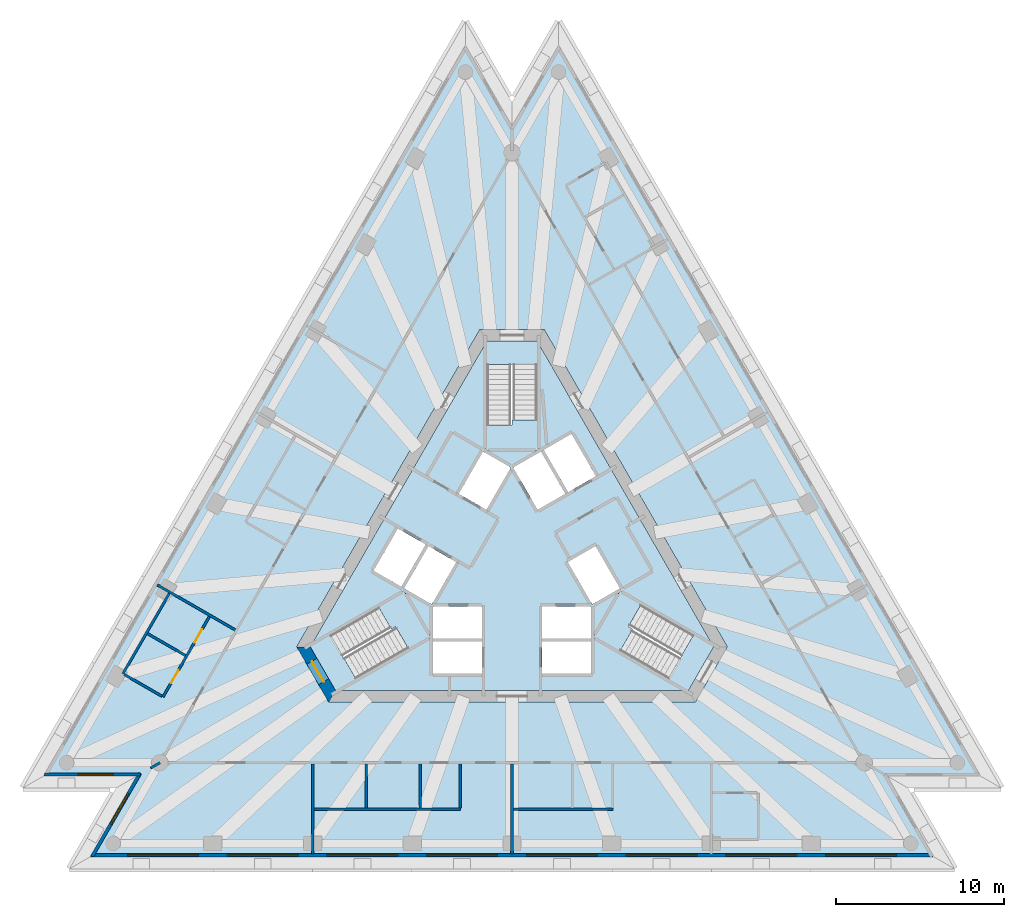
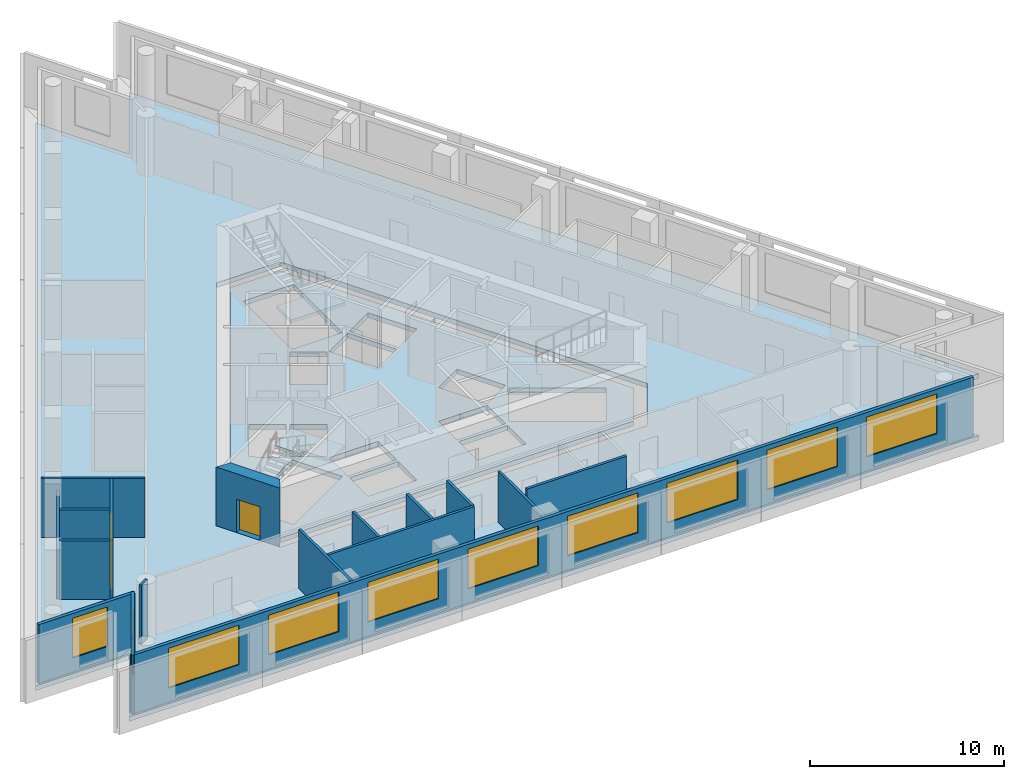
# One storey, part 2 of 9: 17 walls, 10 windows, 5 slabs, 3 doors, 13 openings, 3 elements without a shape of their own.
"""IFC4 building model written with IfcOpenShell, lengths in metres."""

import ifcopenshell
import ifcopenshell.guid

model = None  # the IFC model being written
_history = None  # IfcOwnerHistory: only IFC2X3 demands one
_inside = {}  # id of a spatial element -> (the spatial element, [elements in it])
_under = {}  # id of a project, library or spatial element -> (it, [spatial elements below it])
_declared = {}  # id of a project -> (the project, [libraries it declares])
_typed = {}  # id of a type object -> (the type object, [elements of that type])
_made_of = {}  # id of a material, layer set ... -> (it, [elements and type objects made of it])


def new_model(schema):
    """Start an empty IFC model of exactly this schema.

    Asked for "IFC4X3", IfcOpenShell would pick the latest addendum, in which some entities
    have other attributes; the version numbers below select the first issue.
    IFC2X3 requires an IfcOwnerHistory on every rooted entity: one is made here for all.
    """
    global model, _history
    if schema == "IFC4X3":
        model = ifcopenshell.file(schema_version=(4, 3, 0, 0))
    else:
        model = ifcopenshell.file(schema=schema)
    _inside.clear()
    _under.clear()
    _declared.clear()
    _typed.clear()
    _made_of.clear()
    _history = None
    if model.schema == "IFC2X3":
        org = make("IfcOrganization", Name="unknown")
        user = make(
            "IfcPersonAndOrganization",
            ThePerson=make("IfcPerson", FamilyName="unknown"),
            TheOrganization=org,
        )
        app = make(
            "IfcApplication",
            ApplicationDeveloper=org,
            Version="unknown",
            ApplicationFullName="unknown",
            ApplicationIdentifier="unknown",
        )
        _history = make(
            "IfcOwnerHistory",
            OwningUser=user,
            OwningApplication=app,
            ChangeAction="ADDED",
            CreationDate=0,
        )
    return model


def make(cls, **values):
    """One entity of the class cls with the attributes given. An attribute that is None is left unset."""
    return model.create_entity(
        cls, **{name: value for name, value in values.items() if value is not None}
    )


def rooted(cls, **values):
    """An entity with a GlobalId (a new one), such as an element, a storey or a relation."""
    return make(cls, GlobalId=ifcopenshell.guid.new(), OwnerHistory=_history, **values)


def si_unit(unit_type, name, prefix=None):
    """IfcSIUnit, for example si_unit("LENGTHUNIT", "METRE", prefix="MILLI")."""
    return make("IfcSIUnit", UnitType=unit_type, Prefix=prefix, Name=name)


def assignment(units):
    """IfcUnitAssignment: the units of a project."""
    return None if units is None else make("IfcUnitAssignment", Units=units)


def point(xyz):
    """IfcCartesianPoint."""
    return None if xyz is None else make("IfcCartesianPoint", Coordinates=xyz)


def direction(xyz):
    """IfcDirection."""
    return None if xyz is None else make("IfcDirection", DirectionRatios=xyz)


def frame(location, z_axis=None, x_axis=None):
    """IfcAxis2Placement3D, a coordinate frame: its origin and axes. An axis left out is left unset."""
    return make(
        "IfcAxis2Placement3D",
        Location=point(location),
        Axis=direction(z_axis),
        RefDirection=direction(x_axis),
    )


def frame_2d(location, x_axis=None):
    """IfcAxis2Placement2D, a coordinate frame in the plane: its origin and x axis."""
    return make(
        "IfcAxis2Placement2D", Location=point(location), RefDirection=direction(x_axis)
    )


def origin():
    """The frame at (0, 0, 0) with its axes left unset."""
    return frame((0.0, 0.0, 0.0))


def place(relative_to, where):
    """IfcLocalPlacement: puts the frame where relative to a parent placement (None: the world)."""
    return make(
        "IfcLocalPlacement", PlacementRelTo=relative_to, RelativePlacement=where
    )


def context(
    kind, dimensions, precision=None, world=None, true_north=None, identifier=None
):
    """IfcGeometricRepresentationContext, for example the 3D "Model" context."""
    return make(
        "IfcGeometricRepresentationContext",
        ContextIdentifier=identifier,
        ContextType=kind,
        CoordinateSpaceDimension=dimensions,
        Precision=precision,
        WorldCoordinateSystem=world,
        TrueNorth=true_north,
    )


def subcontext(parent, identifier, kind, view, scale=None):
    """IfcGeometricRepresentationSubContext, for example "Body" below "Model"."""
    return make(
        "IfcGeometricRepresentationSubContext",
        ContextIdentifier=identifier,
        ContextType=kind,
        ParentContext=parent,
        TargetScale=scale,
        TargetView=view,
    )


def project(units=None, contexts=None):
    """IfcProject with its units and contexts."""
    return rooted(
        "IfcProject",
        Name="project",
        RepresentationContexts=contexts,
        UnitsInContext=assignment(units),
    )


def spatial(cls, under=None, at=None, **own):
    """A site, building, storey or space (cls), placed at a placement, below another one or the project."""
    s = rooted(cls, ObjectPlacement=at, **own)
    if under is not None:
        _under.setdefault(under.id(), (under, []))[1].append(s)
    return s


def polyline(points):
    """IfcPolyline through the points."""
    return make("IfcPolyline", Points=[point(p) for p in points])


def profile(cls, at=None, kind="AREA", **sizes):
    """A parametric profile (cls). Its sizes go by their IFC names, for example OverallWidth=200.0."""
    return make(cls, ProfileType=kind, Position=at, **sizes)


def rectangle(**sizes):
    """IfcRectangleProfileDef."""
    return profile("IfcRectangleProfileDef", **sizes)


def outline(outer, holes=None, kind="AREA"):
    """IfcArbitraryClosedProfileDef: a profile drawn as a closed curve; with holes, ...WithVoids."""
    if holes is None:
        return make("IfcArbitraryClosedProfileDef", ProfileType=kind, OuterCurve=outer)
    return make(
        "IfcArbitraryProfileDefWithVoids",
        ProfileType=kind,
        OuterCurve=outer,
        InnerCurves=holes,
    )


def extrude(swept, where, along, depth):
    """IfcExtrudedAreaSolid: the profile swept, set in the frame where, extruded along a direction by depth."""
    return make(
        "IfcExtrudedAreaSolid",
        SweptArea=swept,
        Position=where,
        ExtrudedDirection=direction(along),
        Depth=depth,
    )


def shape(context_of_items, identifier, shape_type, items):
    """IfcShapeRepresentation: the items that make up one representation, for example the "Body"."""
    return make(
        "IfcShapeRepresentation",
        ContextOfItems=context_of_items,
        RepresentationIdentifier=identifier,
        RepresentationType=shape_type,
        Items=items,
    )


def material(Name=None, Category=None):
    """IfcMaterial."""
    return make("IfcMaterial", Name=Name, Category=Category)


def layer(
    of_material, thickness, ventilated=None, Name=None, Category=None, Priority=None
):
    """IfcMaterialLayer: one layer of a wall or slab, of a material (None: an air gap)."""
    return make(
        "IfcMaterialLayer",
        Material=of_material,
        LayerThickness=thickness,
        IsVentilated=ventilated,
        Name=Name,
        Category=Category,
        Priority=Priority,
    )


def layer_set(layers, Name=None):
    """IfcMaterialLayerSet."""
    return make("IfcMaterialLayerSet", MaterialLayers=layers, LayerSetName=Name)


def layer_usage(for_layer_set, set_direction, sense, offset, extent=None):
    """IfcMaterialLayerSetUsage: how a layer set lies in its element."""
    return make(
        "IfcMaterialLayerSetUsage",
        ForLayerSet=for_layer_set,
        LayerSetDirection=set_direction,
        DirectionSense=sense,
        OffsetFromReferenceLine=offset,
        ReferenceExtent=extent,
    )


def made_of(thing, what):
    """Note that an element or type object is made of a material, layer set ...; save() writes the relation."""
    if what is not None:
        _made_of.setdefault(what.id(), (what, []))[1].append(thing)
    return thing


def type_object(cls, material=None, **own):
    """A type object (cls), such as IfcWallType, which elements share."""
    return made_of(rooted(cls, **own), material)


def element(
    cls,
    number,
    at=None,
    inside=None,
    cuts=None,
    type_object=None,
    material=None,
    context=None,
    identifier="Body",
    shape_type=None,
    held_by="IfcProductDefinitionShape",
    body=None,
    shapes=None,
    **own,
):
    """One element of the class cls, such as IfcWall. Its Tag is "e" and its number.

    at: its placement. inside: the storey or other place that contains it. cuts: it is an
    opening in that element (IfcRelVoidsElement). A single representation is given by context,
    identifier, shape_type and body (its items); several are given by shapes. held_by: the class
    of the entity that holds the representations. save() writes the other relations.
    """
    e = rooted(cls, Tag="e%d" % number, ObjectPlacement=at, **own)
    if body is not None:
        shapes = [shape(context, identifier, shape_type, body)]
    if shapes is not None:
        e.Representation = make(held_by, Representations=shapes)
    if inside is not None:
        _inside.setdefault(inside.id(), (inside, []))[1].append(e)
    if cuts is not None:
        rooted(
            "IfcRelVoidsElement", RelatingBuildingElement=cuts, RelatedOpeningElement=e
        )
    if type_object is not None:
        _typed.setdefault(type_object.id(), (type_object, []))[1].append(e)
    return made_of(e, material)


def fill(opening, filler):
    """IfcRelFillsElement: the door or window that sits in an opening."""
    return rooted(
        "IfcRelFillsElement",
        RelatingOpeningElement=opening,
        RelatedBuildingElement=filler,
    )


def aggregate(whole, parts):
    """IfcRelAggregates: a whole, such as a stair, and the parts it consists of."""
    return rooted("IfcRelAggregates", RelatingObject=whole, RelatedObjects=parts)


def save(model, path):
    """Write the relations noted so far, then the file.

    IfcRelAggregates (storeys below a building ...), IfcRelContainedInSpatialStructure (elements
    in a storey), IfcRelDefinesByType, IfcRelAssociatesMaterial and IfcRelDeclares: one each for
    every whole, place, type object, material and project.
    """
    for whole, parts in _under.values():
        aggregate(whole, parts)
    for where, things in _inside.values():
        rooted(
            "IfcRelContainedInSpatialStructure",
            RelatedElements=things,
            RelatingStructure=where,
        )
    for kind, things in _typed.values():
        rooted("IfcRelDefinesByType", RelatedObjects=things, RelatingType=kind)
    for what, things in _made_of.values():
        rooted("IfcRelAssociatesMaterial", RelatedObjects=things, RelatingMaterial=what)
    for by, libraries in _declared.values():
        rooted("IfcRelDeclares", RelatingContext=by, RelatedDefinitions=libraries)
    model.write(path)


model = new_model("IFC4")

# Units and contexts
model_context = context("Model", 3, precision=1e-05, world=origin(), true_north=direction((0.0, 1.0)))
body_context = subcontext(model_context, "Body", "Model", "MODEL_VIEW")
ifc_project = project(units=[si_unit("LENGTHUNIT", "METRE"), si_unit("AREAUNIT", "SQUARE_METRE"), si_unit("VOLUMEUNIT", "CUBIC_METRE"), si_unit("PLANEANGLEUNIT", "RADIAN"), si_unit("MASSUNIT", "GRAM", prefix="KILO")], contexts=[model_context])

# Site, building, storey
site_placement = place(None, origin())
site = spatial("IfcSite", under=ifc_project, at=site_placement, CompositionType="ELEMENT")
building_placement = place(site_placement, origin())
building = spatial("IfcBuilding", under=site, at=building_placement, Name="Triada Interchange Tower", CompositionType="ELEMENT")
storey_placement = place(building_placement, frame((0.0, 0.0, 235.300048828125)))
storey = spatial("IfcBuildingStorey", under=building, at=storey_placement, Name="L55", CompositionType="ELEMENT", Elevation=235.300048828125)

# Slabs
ifc_material_1 = material(Name="Concrete C50/60", Category="concrete")
ifc_layer_1 = layer(ifc_material_1, 0.300048828125)
ifc_layer_set_1 = layer_set([ifc_layer_1], Name="Floor slab 300")
slab_type_1 = type_object("IfcSlabType", Name="Floor slab 300", PredefinedType="FLOOR", material=ifc_layer_set_1)
slab_1_placement = place(storey_placement, frame((0.0, 0.0, -0.300048828125)))
element("IfcSlab", 1, at=slab_1_placement, inside=storey, type_object=slab_type_1, Name="Floor slab L55", PredefinedType="FLOOR", context=body_context, shape_type="SweptSolid", body=[
    extrude(outline(polyline([(-2.777099609375, 30.822998046875), (-28.0830078125, -13.006103515625), (-22.528076171875, -13.006103515625), (-25.304931640625, -17.81689453125), (25.304931640625, -17.81689453125), (22.528076171875, -13.006103515625), (28.0830078125, -13.006103515625), (2.777099609375, 30.822998046875), (0.0, 26.012939453125), (-2.777099609375, 30.822998046875)]), holes=[polyline([(1.905029296875, 13.699951171875), (-1.905029296875, 13.699951171875), (-12.81689453125, -5.199951171875), (-10.912109375, -8.5), (10.912109375, -8.5), (12.81689453125, -5.199951171875), (1.905029296875, 13.699951171875)])]), origin(), (0.0, 0.0, 1.0), 0.300048828125),
])
slab_2_placement = place(storey_placement, frame((0.0, 0.0, -0.300048828125)))
element("IfcSlab", 2, at=slab_2_placement, inside=storey, type_object=slab_type_1, Name="Core floor slab L55 1", PredefinedType="FLOOR", context=body_context, shape_type="SweptSolid", body=[
    extrude(outline(polyline([(12.009033203125, -5.199951171875), (10.508056640625, -7.800048828125), (-10.508056640625, -7.800048828125), (-12.009033203125, -5.199951171875), (-1.5009765625, 13.0), (1.5009765625, 13.0), (12.009033203125, -5.199951171875)]), holes=[polyline([(9.2958984375, -7.09912109375), (10.7958984375, -4.5009765625), (6.466064453125, -2.0009765625), (4.966064453125, -4.59912109375), (9.2958984375, -7.09912109375)]), polyline([(4.77490234375, -2.669921875), (6.419921875, -1.719970703125), (4.969970703125, 0.791015625), (4.137939453125, 0.31103515625), (3.324951171875, -0.158935546875), (4.77490234375, -2.669921875)]), polyline([(1.89404296875, 6.52001953125), (3.343994140625, 4.009033203125), (4.989013671875, 4.958984375), (3.5390625, 7.469970703125), (1.89404296875, 6.52001953125)]), polyline([(1.800048828125, -4.89990234375), (1.800048828125, -6.4990234375), (1.800048828125, -6.800048828125), (4.699951171875, -6.800048828125), (4.699951171875, -4.89990234375), (1.800048828125, -4.89990234375)]), polyline([(4.699951171875, -2.800048828125), (1.800048828125, -2.800048828125), (1.800048828125, -4.699951171875), (4.699951171875, -4.699951171875), (4.699951171875, -2.800048828125)]), polyline([(0.074951171875, 5.469970703125), (1.52490234375, 2.958984375), (3.169921875, 3.908935546875), (1.719970703125, 6.419921875), (0.074951171875, 5.469970703125)]), polyline([(-1.5, 11.60009765625), (-1.5, 6.60009765625), (1.5, 6.60009765625), (1.5, 11.60009765625), (-1.5, 11.60009765625)]), polyline([(-1.52490234375, 2.958984375), (-0.074951171875, 5.469970703125), (-1.719970703125, 6.419921875), (-3.169921875, 3.908935546875), (-1.52490234375, 2.958984375)]), polyline([(-1.800048828125, -2.800048828125), (-4.699951171875, -2.800048828125), (-4.699951171875, -4.699951171875), (-1.800048828125, -4.699951171875), (-1.800048828125, -2.800048828125)]), polyline([(-4.699951171875, -6.800048828125), (-1.800048828125, -6.800048828125), (-1.800048828125, -6.4990234375), (-1.800048828125, -4.89990234375), (-4.699951171875, -4.89990234375), (-4.699951171875, -6.800048828125)]), polyline([(-3.367919921875, -0.134033203125), (-4.969970703125, 0.791015625), (-6.419921875, -1.719970703125), (-4.77490234375, -2.669921875), (-3.324951171875, -0.158935546875), (-3.367919921875, -0.134033203125)]), polyline([(-10.7958984375, -4.5009765625), (-9.2958984375, -7.09912109375), (-4.966064453125, -4.59912109375), (-6.466064453125, -2.0009765625), (-10.7958984375, -4.5009765625)]), polyline([(-6.593994140625, -1.6201171875), (-5.14404296875, 0.89111328125), (-6.7890625, 1.841064453125), (-8.239013671875, -0.669921875), (-6.593994140625, -1.6201171875)])]), origin(), (0.0, 0.0, 1.0), 0.300048828125),
])

# Stair, slab
ifc_material_2 = material(Name="Concrete C35/45", Category="concrete")
stair_type = type_object("IfcStairType", Name="HALF TURN STAIR 1400", PredefinedType="HALF_TURN_STAIR", material=ifc_material_2)
stair_1_placement = place(storey_placement, origin())
stair_1 = element("IfcStair", 3, at=stair_1_placement, inside=storey, type_object=stair_type, Name="Exit stair S53-1", PredefinedType="HALF_TURN_STAIR")
ifc_layer_2 = layer(ifc_material_2, 0.199951171875)
ifc_layer_set_2 = layer_set([ifc_layer_2], Name="STAIR LANDING 200")
slab_type_2 = type_object("IfcSlabType", Name="STAIR LANDING 200", PredefinedType="LANDING", material=ifc_layer_set_2)
slab_3_placement = place(storey_placement, frame((0.0, 0.0, 1.719970703125)))
slab_3 = element("IfcSlab", 4, at=slab_3_placement, type_object=slab_type_2, Name="S53-1 landing 1", PredefinedType="LANDING", context=body_context, shape_type="SweptSolid", body=[
    extrude(outline(polyline([(1.60009765625, 6.5), (1.60009765625, 8.300048828125), (0.0, 8.300048828125), (0.0, 8.0), (-1.60009765625, 8.0), (-1.60009765625, 6.5), (1.60009765625, 6.5)])), origin(), (0.0, 0.0, 1.0), 0.199951171875),
])
aggregate(stair_1, [slab_3])

stair_2_placement = place(storey_placement, origin())
stair_2 = element("IfcStair", 5, at=stair_2_placement, inside=storey, type_object=stair_type, Name="Exit stair S53-2", PredefinedType="HALF_TURN_STAIR")
slab_4_placement = place(storey_placement, frame((0.0, 0.0, 1.719970703125)))
slab_4 = element("IfcSlab", 6, at=slab_4_placement, type_object=slab_type_2, Name="S53-2 landing 1", PredefinedType="LANDING", context=body_context, shape_type="SweptSolid", body=[
    extrude(outline(polyline([(-6.428955078125, -1.864013671875), (-7.988037109375, -2.763916015625), (-7.18798828125, -4.14990234375), (-6.927978515625, -4.0), (-6.1279296875, -5.385986328125), (-4.8291015625, -4.635986328125), (-6.428955078125, -1.864013671875)])), origin(), (0.0, 0.0, 1.0), 0.199951171875),
])
aggregate(stair_2, [slab_4])

stair_3_placement = place(storey_placement, origin())
stair_3 = element("IfcStair", 7, at=stair_3_placement, inside=storey, type_object=stair_type, Name="Exit stair S53-3", PredefinedType="HALF_TURN_STAIR")
slab_5_placement = place(storey_placement, frame((0.0, 0.0, 1.719970703125)))
slab_5 = element("IfcSlab", 8, at=slab_5_placement, type_object=slab_type_2, Name="S53-3 landing 1", PredefinedType="LANDING", context=body_context, shape_type="SweptSolid", body=[
    extrude(outline(polyline([(4.8291015625, -4.635986328125), (6.387939453125, -5.535888671875), (7.18798828125, -4.14990234375), (6.927978515625, -4.0), (7.72802734375, -2.614013671875), (6.428955078125, -1.864013671875), (4.8291015625, -4.635986328125)])), origin(), (0.0, 0.0, 1.0), 0.199951171875),
])
aggregate(stair_3, [slab_5])

# Wall, opening, door
ifc_layer_3 = layer(ifc_material_1, 0.699951171875)
ifc_layer_set_3 = layer_set([ifc_layer_3], Name="Core wall C 700")
wall_type_1 = type_object("IfcWallType", Name="Core wall C 700", PredefinedType="SHEAR", material=ifc_layer_set_3)
wall_1_placement = place(storey_placement, frame((-12.4130859375, -5.199951171875, -0.300048828125), z_axis=(0.0, 0.0, 1.0), x_axis=(0.49999337185, -0.866029230515, 0.0)))
wall_1 = element("IfcWall", 9, at=wall_1_placement, inside=storey, type_object=wall_type_1, Name="Core wall WC03 L55", PredefinedType="SHEAR", context=body_context, shape_type="SweptSolid", body=[
    extrude(outline(polyline([(-0.201904296875, -0.35009765625), (1.703125, -0.35009765625), (3.60791015625, -0.35009765625), (3.2041015625, 0.35009765625), (1.703125, 0.35009765625), (0.201904296875, 0.35009765625), (-0.201904296875, -0.35009765625)])), origin(), (0.0, 0.0, 1.0), 4.0),
])
opening_1_placement = place(wall_1_placement, frame((1.0029296875, 0.0, 0.300048828125)))
opening_1 = element("IfcOpeningElement", 10, at=opening_1_placement, cuts=wall_1, Name="Opening D53-41", PredefinedType="OPENING", context=body_context, shape_type="SweptSolid", body=[
    extrude(rectangle(XDim=1.39990234375, YDim=2.10009765625, at=frame_2d((0.699951171875, 1.050048828125))), frame((0.0, 0.360107421875, 0.0), z_axis=(0.0, -1.0, 0.0), x_axis=(1.0, 0.0, 0.0)), (0.0, 0.0, 1.0), 0.72021484375),
])
ifc_material_3 = material(Name="Steel S235 door leaf", Category="steel")
door_type_1 = type_object("IfcDoorType", Name="STAIR DOOR 1400 EI2 90-C5S200", OperationType="DOUBLE_DOOR_SINGLE_SWING", PredefinedType="DOOR", material=ifc_material_3)
door_1_placement = place(opening_1_placement, origin())
door_1 = element("IfcDoor", 11, at=door_1_placement, inside=storey, type_object=door_type_1, Name="Door D53-41 L55", OperationType="DOUBLE_DOOR_SINGLE_SWING", OverallHeight=2.10009765625, OverallWidth=1.39990234375, PredefinedType="DOOR", context=body_context, shape_type="SweptSolid", body=[
    extrude(rectangle(XDim=1.39990234375, YDim=2.10009765625, at=frame_2d((0.699951171875, 1.050048828125))), frame((0.0, 0.02490234375, 0.0), z_axis=(0.0, -1.0, 0.0), x_axis=(1.0, 0.0, 0.0)), (0.0, 0.0, 1.0), 0.050048828125),
])
fill(opening_1, door_1)

# Wall, opening, window
ifc_material_4 = material(Name="Cement board")
ifc_layer_4 = layer(ifc_material_4, 0.02001953125, Name="Cement board cladding")
ifc_material_5 = material(Name="Sheathing board")
ifc_layer_5 = layer(ifc_material_5, 0.014892578125, Name="Sheathing board")
ifc_material_6 = material(Name="Mineral wool")
ifc_layer_6 = layer(ifc_material_6, 0.14990234375, Name="Mineral wool between steel studs")
ifc_material_7 = material(Name="Gypsum board")
ifc_layer_7 = layer(ifc_material_7, 0.014892578125, Name="Plasterboard lining")
ifc_layer_set_4 = layer_set([ifc_layer_4, ifc_layer_5, ifc_layer_6, ifc_layer_7], Name="External wall 200")
ifc_layer_usage = layer_usage(ifc_layer_set_4, "AXIS2", "POSITIVE", -0.10009765625)
wall_type_2 = type_object("IfcWallType", Name="External wall 200", PredefinedType="ELEMENTEDWALL", material=ifc_layer_set_4)
wall_2_placement = place(storey_placement, frame((-27.826904296875, -12.805908203125, 0.0), z_axis=(0.0, 0.0, 1.0), x_axis=(1.0, 0.0, 0.0)))
wall_2 = element("IfcWall", 12, at=wall_2_placement, inside=storey, type_object=wall_type_2, material=ifc_layer_usage, Name="External wall L55 SW-1", PredefinedType="ELEMENTEDWALL", context=body_context, shape_type="SweptSolid", body=[
    extrude(rectangle(XDim=5.71484375, YDim=0.199951171875, at=frame_2d((2.857421875, 0.0))), origin(), (0.0, 0.0, 1.0), 3.699951171875),
])
opening_2_placement = place(wall_2_placement, frame((1.989990234375, 0.0, 0.89990234375)))
opening_2 = element("IfcOpeningElement", 13, at=opening_2_placement, cuts=wall_2, Name="Opening WC09", PredefinedType="OPENING", context=body_context, shape_type="SweptSolid", body=[
    extrude(rectangle(XDim=2.10009765625, YDim=2.5, at=frame_2d((1.050048828125, 1.25))), frame((0.0, 0.10986328125, 0.0), z_axis=(0.0, -1.0, 0.0), x_axis=(1.0, 0.0, 0.0)), (0.0, 0.0, 1.0), 0.219970703125),
])
ifc_material_8 = material(Name="Double glazed aluminium window", Category="aluminium")
window_type_1 = type_object("IfcWindowType", Name="Ribbon window C pocket", PartitioningType="SINGLE_PANEL", PredefinedType="WINDOW", material=ifc_material_8)
window_1_placement = place(opening_2_placement, origin())
window_1 = element("IfcWindow", 14, at=window_1_placement, inside=storey, type_object=window_type_1, Name="Window L55 SW-1 1", OverallHeight=2.5, OverallWidth=2.10009765625, PartitioningType="SINGLE_PANEL", PredefinedType="WINDOW", context=body_context, shape_type="SweptSolid", body=[
    extrude(rectangle(XDim=2.10009765625, YDim=2.5, at=frame_2d((1.050048828125, 1.25))), frame((0.0, 0.030029296875, 0.0), z_axis=(0.0, -1.0, 0.0), x_axis=(1.0, 0.0, 0.0)), (0.0, 0.0, 1.0), 0.06005859375),
])
fill(opening_2, window_1)

wall_3_placement = place(storey_placement, frame((-22.136962890625, -12.72802734375, 0.0), z_axis=(0.0, 0.0, 1.0), x_axis=(-0.49987899677, -0.866095253761, 0.0)))
wall_3 = element("IfcWall", 15, at=wall_3_placement, inside=storey, type_object=wall_type_2, material=ifc_layer_usage, Name="External wall L55 SW-2", PredefinedType="ELEMENTEDWALL", context=body_context, shape_type="SweptSolid", body=[
    extrude(rectangle(XDim=5.71533203125, YDim=0.199951171875, at=frame_2d((2.857666015625, 0.0))), origin(), (0.0, 0.0, 1.0), 3.699951171875),
])
opening_3_placement = place(wall_3_placement, frame((1.389892578125, 0.0, 0.89990234375)))
opening_3 = element("IfcOpeningElement", 16, at=opening_3_placement, cuts=wall_3, Name="Opening WC10", PredefinedType="OPENING", context=body_context, shape_type="SweptSolid", body=[
    extrude(rectangle(XDim=2.10009765625, YDim=2.5, at=frame_2d((1.050048828125, 1.25))), frame((0.0, 0.10986328125, 0.0), z_axis=(0.0, -1.0, 0.0), x_axis=(1.0, 0.0, 0.0)), (0.0, 0.0, 1.0), 0.219970703125),
])
window_2_placement = place(opening_3_placement, origin())
window_2 = element("IfcWindow", 17, at=window_2_placement, inside=storey, type_object=window_type_1, Name="Window L55 SW-2 1", OverallHeight=2.5, OverallWidth=2.10009765625, PartitioningType="SINGLE_PANEL", PredefinedType="WINDOW", context=body_context, shape_type="SweptSolid", body=[
    extrude(rectangle(XDim=2.10009765625, YDim=2.5, at=frame_2d((1.050048828125, 1.25))), frame((0.0, 0.030029296875, 0.0), z_axis=(0.0, -1.0, 0.0), x_axis=(1.0, 0.0, 0.0)), (0.0, 0.0, 1.0), 0.06005859375),
])
fill(opening_3, window_2)

# Wall, openings, windows
wall_4_placement = place(storey_placement, frame((-25.049072265625, -17.616943359375, 0.0), z_axis=(0.0, 0.0, 1.0), x_axis=(1.0, 0.0, 0.0)))
wall_4 = element("IfcWall", 18, at=wall_4_placement, inside=storey, type_object=wall_type_2, material=ifc_layer_usage, Name="External wall L55 S", PredefinedType="ELEMENTEDWALL", context=body_context, shape_type="SweptSolid", body=[
    extrude(rectangle(XDim=50.078125, YDim=0.199951171875, at=frame_2d((25.0390625, 0.0))), origin(), (0.0, 0.0, 1.0), 3.699951171875),
])
opening_4_placement = place(wall_4_placement, frame((2.1708984375, 0.0, 0.89990234375)))
opening_4 = element("IfcOpeningElement", 19, at=opening_4_placement, cuts=wall_4, Name="Opening WC11", PredefinedType="OPENING", context=body_context, shape_type="SweptSolid", body=[
    extrude(rectangle(XDim=4.199951171875, YDim=2.5, at=frame_2d((2.10009765625, 1.25))), frame((0.0, 0.10986328125, 0.0), z_axis=(0.0, -1.0, 0.0), x_axis=(1.0, 0.0, 0.0)), (0.0, 0.0, 1.0), 0.219970703125),
])
opening_5_placement = place(wall_4_placement, frame((8.10791015625, 0.0, 0.89990234375)))
opening_5 = element("IfcOpeningElement", 20, at=opening_5_placement, cuts=wall_4, Name="Opening WC12", PredefinedType="OPENING", context=body_context, shape_type="SweptSolid", body=[
    extrude(rectangle(XDim=4.199951171875, YDim=2.5, at=frame_2d((2.10009765625, 1.25))), frame((0.0, 0.10986328125, 0.0), z_axis=(0.0, -1.0, 0.0), x_axis=(1.0, 0.0, 0.0)), (0.0, 0.0, 1.0), 0.219970703125),
])
opening_6_placement = place(wall_4_placement, frame((14.0439453125, 0.0, 0.89990234375)))
opening_6 = element("IfcOpeningElement", 21, at=opening_6_placement, cuts=wall_4, Name="Opening WC13", PredefinedType="OPENING", context=body_context, shape_type="SweptSolid", body=[
    extrude(rectangle(XDim=4.199951171875, YDim=2.5, at=frame_2d((2.10009765625, 1.25))), frame((0.0, 0.10986328125, 0.0), z_axis=(0.0, -1.0, 0.0), x_axis=(1.0, 0.0, 0.0)), (0.0, 0.0, 1.0), 0.219970703125),
])
opening_7_placement = place(wall_4_placement, frame((19.98095703125, 0.0, 0.89990234375)))
opening_7 = element("IfcOpeningElement", 22, at=opening_7_placement, cuts=wall_4, Name="Opening WC14", PredefinedType="OPENING", context=body_context, shape_type="SweptSolid", body=[
    extrude(rectangle(XDim=4.199951171875, YDim=2.5, at=frame_2d((2.10009765625, 1.25))), frame((0.0, 0.10986328125, 0.0), z_axis=(0.0, -1.0, 0.0), x_axis=(1.0, 0.0, 0.0)), (0.0, 0.0, 1.0), 0.219970703125),
])
opening_8_placement = place(wall_4_placement, frame((25.9169921875, 0.0, 0.89990234375)))
opening_8 = element("IfcOpeningElement", 23, at=opening_8_placement, cuts=wall_4, Name="Opening WC15", PredefinedType="OPENING", context=body_context, shape_type="SweptSolid", body=[
    extrude(rectangle(XDim=4.199951171875, YDim=2.5, at=frame_2d((2.10009765625, 1.25))), frame((0.0, 0.10986328125, 0.0), z_axis=(0.0, -1.0, 0.0), x_axis=(1.0, 0.0, 0.0)), (0.0, 0.0, 1.0), 0.219970703125),
])
opening_9_placement = place(wall_4_placement, frame((31.85400390625, 0.0, 0.89990234375)))
opening_9 = element("IfcOpeningElement", 24, at=opening_9_placement, cuts=wall_4, Name="Opening WC16", PredefinedType="OPENING", context=body_context, shape_type="SweptSolid", body=[
    extrude(rectangle(XDim=4.199951171875, YDim=2.5, at=frame_2d((2.10009765625, 1.25))), frame((0.0, 0.10986328125, 0.0), z_axis=(0.0, -1.0, 0.0), x_axis=(1.0, 0.0, 0.0)), (0.0, 0.0, 1.0), 0.219970703125),
])
opening_10_placement = place(wall_4_placement, frame((37.7900390625, 0.0, 0.89990234375)))
opening_10 = element("IfcOpeningElement", 25, at=opening_10_placement, cuts=wall_4, Name="Opening WC17", PredefinedType="OPENING", context=body_context, shape_type="SweptSolid", body=[
    extrude(rectangle(XDim=4.199951171875, YDim=2.5, at=frame_2d((2.10009765625, 1.25))), frame((0.0, 0.10986328125, 0.0), z_axis=(0.0, -1.0, 0.0), x_axis=(1.0, 0.0, 0.0)), (0.0, 0.0, 1.0), 0.219970703125),
])
opening_11_placement = place(wall_4_placement, frame((43.72705078125, 0.0, 0.89990234375)))
opening_11 = element("IfcOpeningElement", 26, at=opening_11_placement, cuts=wall_4, Name="Opening WC18", PredefinedType="OPENING", context=body_context, shape_type="SweptSolid", body=[
    extrude(rectangle(XDim=4.199951171875, YDim=2.5, at=frame_2d((2.10009765625, 1.25))), frame((0.0, 0.10986328125, 0.0), z_axis=(0.0, -1.0, 0.0), x_axis=(1.0, 0.0, 0.0)), (0.0, 0.0, 1.0), 0.219970703125),
])
window_type_2 = type_object("IfcWindowType", Name="Ribbon window C face", PartitioningType="SINGLE_PANEL", PredefinedType="WINDOW", material=ifc_material_8)
window_3_placement = place(opening_4_placement, origin())
window_3 = element("IfcWindow", 27, at=window_3_placement, inside=storey, type_object=window_type_2, Name="Window L55 S 1", OverallHeight=2.5, OverallWidth=4.199951171875, PartitioningType="SINGLE_PANEL", PredefinedType="WINDOW", context=body_context, shape_type="SweptSolid", body=[
    extrude(rectangle(XDim=4.199951171875, YDim=2.5, at=frame_2d((2.10009765625, 1.25))), frame((0.0, 0.030029296875, 0.0), z_axis=(0.0, -1.0, 0.0), x_axis=(1.0, 0.0, 0.0)), (0.0, 0.0, 1.0), 0.06005859375),
])
fill(opening_4, window_3)
window_4_placement = place(opening_5_placement, origin())
window_4 = element("IfcWindow", 28, at=window_4_placement, inside=storey, type_object=window_type_2, Name="Window L55 S 2", OverallHeight=2.5, OverallWidth=4.199951171875, PartitioningType="SINGLE_PANEL", PredefinedType="WINDOW", context=body_context, shape_type="SweptSolid", body=[
    extrude(rectangle(XDim=4.199951171875, YDim=2.5, at=frame_2d((2.10009765625, 1.25))), frame((0.0, 0.030029296875, 0.0), z_axis=(0.0, -1.0, 0.0), x_axis=(1.0, 0.0, 0.0)), (0.0, 0.0, 1.0), 0.06005859375),
])
fill(opening_5, window_4)
window_5_placement = place(opening_6_placement, origin())
window_5 = element("IfcWindow", 29, at=window_5_placement, inside=storey, type_object=window_type_2, Name="Window L55 S 3", OverallHeight=2.5, OverallWidth=4.199951171875, PartitioningType="SINGLE_PANEL", PredefinedType="WINDOW", context=body_context, shape_type="SweptSolid", body=[
    extrude(rectangle(XDim=4.199951171875, YDim=2.5, at=frame_2d((2.10009765625, 1.25))), frame((0.0, 0.030029296875, 0.0), z_axis=(0.0, -1.0, 0.0), x_axis=(1.0, 0.0, 0.0)), (0.0, 0.0, 1.0), 0.06005859375),
])
fill(opening_6, window_5)
window_6_placement = place(opening_7_placement, origin())
window_6 = element("IfcWindow", 30, at=window_6_placement, inside=storey, type_object=window_type_2, Name="Window L55 S 4", OverallHeight=2.5, OverallWidth=4.199951171875, PartitioningType="SINGLE_PANEL", PredefinedType="WINDOW", context=body_context, shape_type="SweptSolid", body=[
    extrude(rectangle(XDim=4.199951171875, YDim=2.5, at=frame_2d((2.10009765625, 1.25))), frame((0.0, 0.030029296875, 0.0), z_axis=(0.0, -1.0, 0.0), x_axis=(1.0, 0.0, 0.0)), (0.0, 0.0, 1.0), 0.06005859375),
])
fill(opening_7, window_6)
window_7_placement = place(opening_8_placement, origin())
window_7 = element("IfcWindow", 31, at=window_7_placement, inside=storey, type_object=window_type_2, Name="Window L55 S 5", OverallHeight=2.5, OverallWidth=4.199951171875, PartitioningType="SINGLE_PANEL", PredefinedType="WINDOW", context=body_context, shape_type="SweptSolid", body=[
    extrude(rectangle(XDim=4.199951171875, YDim=2.5, at=frame_2d((2.10009765625, 1.25))), frame((0.0, 0.030029296875, 0.0), z_axis=(0.0, -1.0, 0.0), x_axis=(1.0, 0.0, 0.0)), (0.0, 0.0, 1.0), 0.06005859375),
])
fill(opening_8, window_7)
window_8_placement = place(opening_9_placement, origin())
window_8 = element("IfcWindow", 32, at=window_8_placement, inside=storey, type_object=window_type_2, Name="Window L55 S 6", OverallHeight=2.5, OverallWidth=4.199951171875, PartitioningType="SINGLE_PANEL", PredefinedType="WINDOW", context=body_context, shape_type="SweptSolid", body=[
    extrude(rectangle(XDim=4.199951171875, YDim=2.5, at=frame_2d((2.10009765625, 1.25))), frame((0.0, 0.030029296875, 0.0), z_axis=(0.0, -1.0, 0.0), x_axis=(1.0, 0.0, 0.0)), (0.0, 0.0, 1.0), 0.06005859375),
])
fill(opening_9, window_8)
window_9_placement = place(opening_10_placement, origin())
window_9 = element("IfcWindow", 33, at=window_9_placement, inside=storey, type_object=window_type_2, Name="Window L55 S 7", OverallHeight=2.5, OverallWidth=4.199951171875, PartitioningType="SINGLE_PANEL", PredefinedType="WINDOW", context=body_context, shape_type="SweptSolid", body=[
    extrude(rectangle(XDim=4.199951171875, YDim=2.5, at=frame_2d((2.10009765625, 1.25))), frame((0.0, 0.030029296875, 0.0), z_axis=(0.0, -1.0, 0.0), x_axis=(1.0, 0.0, 0.0)), (0.0, 0.0, 1.0), 0.06005859375),
])
fill(opening_10, window_9)
window_10_placement = place(opening_11_placement, origin())
window_10 = element("IfcWindow", 34, at=window_10_placement, inside=storey, type_object=window_type_2, Name="Window L55 S 8", OverallHeight=2.5, OverallWidth=4.199951171875, PartitioningType="SINGLE_PANEL", PredefinedType="WINDOW", context=body_context, shape_type="SweptSolid", body=[
    extrude(rectangle(XDim=4.199951171875, YDim=2.5, at=frame_2d((2.10009765625, 1.25))), frame((0.0, 0.030029296875, 0.0), z_axis=(0.0, -1.0, 0.0), x_axis=(1.0, 0.0, 0.0)), (0.0, 0.0, 1.0), 0.06005859375),
])
fill(opening_11, window_10)

# Walls
ifc_material_9 = material(Name="Gypsum board partition")
ifc_layer_8 = layer(ifc_material_9, 0.14990234375)
ifc_layer_set_5 = layer_set([ifc_layer_8], Name="PARTITION 150 EI 180")
wall_type_3 = type_object("IfcWallType", Name="PARTITION 150 EI 180", PredefinedType="PARTITIONING", material=ifc_layer_set_5)
wall_5_placement = place(storey_placement, frame((-21.506103515625, -12.416015625, 0.0), z_axis=(0.0, 0.0, 1.0), x_axis=(0.866102227088, 0.499866914522, 0.0)))
element("IfcWall", 35, at=wall_5_placement, inside=storey, type_object=wall_type_3, Name="Wall L53 1", PredefinedType="PARTITIONING", context=body_context, shape_type="SweptSolid", body=[
    extrude(rectangle(XDim=0.634033203125, YDim=0.14990234375, at=frame_2d((0.31689453125, 0.0))), origin(), (0.0, 0.0, 1.0), 3.699951171875),
])
wall_6_placement = place(storey_placement, frame((-21.1240234375, -1.513916015625, 0.0), z_axis=(0.0, 0.0, 1.0), x_axis=(0.866032438121, -0.499987815973, 0.0)))
element("IfcWall", 36, at=wall_6_placement, inside=storey, type_object=wall_type_3, Name="Wall L53 3", PredefinedType="PARTITIONING", context=body_context, shape_type="SweptSolid", body=[
    extrude(rectangle(XDim=5.362548828125, YDim=0.14990234375, at=frame_2d((2.68115234375, 0.0))), origin(), (0.0, 0.0, 1.0), 3.699951171875),
])
wall_7_placement = place(storey_placement, frame((-11.873046875, -17.537109375, 0.0), z_axis=(0.0, 0.0, 1.0), x_axis=(0.0, 1.0, 0.0)))
element("IfcWall", 37, at=wall_7_placement, inside=storey, type_object=wall_type_3, Name="Wall L53 12", PredefinedType="PARTITIONING", context=body_context, shape_type="SweptSolid", body=[
    extrude(rectangle(XDim=5.362060546875, YDim=0.14990234375, at=frame_2d((2.68115234375, 0.0))), origin(), (0.0, 0.0, 1.0), 3.699951171875),
])
wall_8_placement = place(storey_placement, frame((-11.798095703125, -14.85791015625, 0.0), z_axis=(0.0, 0.0, 1.0), x_axis=(1.0, 0.0, 0.0)))
element("IfcWall", 38, at=wall_8_placement, inside=storey, type_object=wall_type_3, Name="Wall L53 13", PredefinedType="PARTITIONING", context=body_context, shape_type="SweptSolid", body=[
    extrude(rectangle(XDim=8.72509765625, YDim=0.14990234375, at=frame_2d((4.362548828125, 0.0))), origin(), (0.0, 0.0, 1.0), 3.699951171875),
])
wall_9_placement = place(storey_placement, frame((0.074951171875, -14.85791015625, 0.0), z_axis=(0.0, 0.0, 1.0), x_axis=(1.0, 0.0, 0.0)))
element("IfcWall", 39, at=wall_9_placement, inside=storey, type_object=wall_type_3, Name="Wall L53 14", PredefinedType="PARTITIONING", context=body_context, shape_type="SweptSolid", body=[
    extrude(rectangle(XDim=5.925048828125, YDim=0.14990234375, at=frame_2d((2.96240234375, 0.0))), origin(), (0.0, 0.0, 1.0), 3.699951171875),
])
wall_10_placement = place(storey_placement, frame((-8.673095703125, -14.782958984375, 0.0), z_axis=(0.0, 0.0, 1.0), x_axis=(0.0, 1.0, 0.0)))
element("IfcWall", 40, at=wall_10_placement, inside=storey, type_object=wall_type_3, Name="Wall L53 15", PredefinedType="PARTITIONING", context=body_context, shape_type="SweptSolid", body=[
    extrude(rectangle(XDim=2.60791015625, YDim=0.14990234375, at=frame_2d((1.303955078125, 0.0))), origin(), (0.0, 0.0, 1.0), 3.699951171875),
])
wall_11_placement = place(storey_placement, frame((-3.072998046875, -14.783935546875, 0.0), z_axis=(0.0, 0.0, 1.0), x_axis=(0.0, 1.0, 0.0)))
element("IfcWall", 41, at=wall_11_placement, inside=storey, type_object=wall_type_3, Name="Wall L53 16", PredefinedType="PARTITIONING", context=body_context, shape_type="SweptSolid", body=[
    extrude(rectangle(XDim=2.60888671875, YDim=0.14990234375, at=frame_2d((1.304443359375, 0.0))), origin(), (0.0, 0.0, 1.0), 3.699951171875),
])
wall_12_placement = place(storey_placement, frame((-5.472900390625, -14.782958984375, 0.0), z_axis=(0.0, 0.0, 1.0), x_axis=(0.0, 1.0, 0.0)))
element("IfcWall", 42, at=wall_12_placement, inside=storey, type_object=wall_type_3, Name="Wall L53 17", PredefinedType="PARTITIONING", context=body_context, shape_type="SweptSolid", body=[
    extrude(rectangle(XDim=2.60791015625, YDim=0.14990234375, at=frame_2d((1.303955078125, 0.0))), origin(), (0.0, 0.0, 1.0), 3.699951171875),
])
wall_13_placement = place(storey_placement, frame((0.0, -17.537109375, 0.0), z_axis=(0.0, 0.0, 1.0), x_axis=(0.0, 1.0, 0.0)))
element("IfcWall", 43, at=wall_13_placement, inside=storey, type_object=wall_type_3, Name="Wall L53 18", PredefinedType="PARTITIONING", context=body_context, shape_type="SweptSolid", body=[
    extrude(rectangle(XDim=5.362060546875, YDim=0.14990234375, at=frame_2d((2.68115234375, 0.0))), origin(), (0.0, 0.0, 1.0), 3.199951171875),
])

# Wall, openings, doors
ifc_layer_9 = layer(ifc_material_9, 0.14990234375)
ifc_layer_set_6 = layer_set([ifc_layer_9], Name="PARTITION 150 EI 90")
wall_type_4 = type_object("IfcWallType", Name="PARTITION 150 EI 90", PredefinedType="PARTITIONING", material=ifc_layer_set_6)
wall_14_placement = place(storey_placement, frame((-20.77392578125, -8.181884765625, 0.0), z_axis=(0.0, 0.0, 1.0), x_axis=(0.499917542299, 0.866073005526, 0.0)))
wall_14 = element("IfcWall", 44, at=wall_14_placement, inside=storey, type_object=wall_type_4, Name="Wall L53 30", PredefinedType="PARTITIONING", context=body_context, shape_type="SweptSolid", body=[
    extrude(rectangle(XDim=5.52490234375, YDim=0.14990234375, at=frame_2d((2.762451171875, 0.0))), origin(), (0.0, 0.0, 1.0), 3.699951171875),
])
opening_12_placement = place(wall_14_placement, frame((3.75, 0.0, 0.0)))
opening_12 = element("IfcOpeningElement", 45, at=opening_12_placement, cuts=wall_14, Name="Opening D53-37", PredefinedType="OPENING", context=body_context, shape_type="SweptSolid", body=[
    extrude(rectangle(XDim=0.89990234375, YDim=2.10009765625, at=frame_2d((0.449951171875, 1.050048828125))), frame((0.0, 0.0849609375, 0.0), z_axis=(0.0, -1.0, 0.0), x_axis=(1.0, 0.0, 0.0)), (0.0, 0.0, 1.0), 0.169921875),
])
opening_13_placement = place(wall_14_placement, frame((0.949951171875, 0.0, 0.0)))
opening_13 = element("IfcOpeningElement", 46, at=opening_13_placement, cuts=wall_14, Name="Opening D53-38", PredefinedType="OPENING", context=body_context, shape_type="SweptSolid", body=[
    extrude(rectangle(XDim=0.89990234375, YDim=2.10009765625, at=frame_2d((0.449951171875, 1.050048828125))), frame((0.0, 0.0849609375, 0.0), z_axis=(0.0, -1.0, 0.0), x_axis=(1.0, 0.0, 0.0)), (0.0, 0.0, 1.0), 0.169921875),
])
door_type_2 = type_object("IfcDoorType", Name="ROOM DOOR 900 EI2 45-C5S200", OperationType="NOTDEFINED", PredefinedType="DOOR", material=ifc_material_3)
door_2_placement = place(opening_12_placement, origin())
door_2 = element("IfcDoor", 47, at=door_2_placement, inside=storey, type_object=door_type_2, Name="Door D53-37 L55", OperationType="SINGLE_SWING_RIGHT", OverallHeight=2.10009765625, OverallWidth=0.89990234375, PredefinedType="DOOR", context=body_context, shape_type="SweptSolid", body=[
    extrude(rectangle(XDim=0.89990234375, YDim=2.10009765625, at=frame_2d((0.449951171875, 1.050048828125))), frame((0.0, 0.02490234375, 0.0), z_axis=(0.0, -1.0, 0.0), x_axis=(1.0, 0.0, 0.0)), (0.0, 0.0, 1.0), 0.050048828125),
])
fill(opening_12, door_2)
door_3_placement = place(opening_13_placement, origin())
door_3 = element("IfcDoor", 48, at=door_3_placement, inside=storey, type_object=door_type_2, Name="Door D53-38 L55", OperationType="SINGLE_SWING_RIGHT", OverallHeight=2.10009765625, OverallWidth=0.89990234375, PredefinedType="DOOR", context=body_context, shape_type="SweptSolid", body=[
    extrude(rectangle(XDim=0.89990234375, YDim=2.10009765625, at=frame_2d((0.449951171875, 1.050048828125))), frame((0.0, 0.02490234375, 0.0), z_axis=(0.0, -1.0, 0.0), x_axis=(1.0, 0.0, 0.0)), (0.0, 0.0, 1.0), 0.050048828125),
])
fill(opening_13, door_3)

# Walls
wall_15_placement = place(storey_placement, frame((-23.1630859375, -6.802978515625, 0.0), z_axis=(0.0, 0.0, 1.0), x_axis=(0.499950687084, 0.866053872738, 0.0)))
element("IfcWall", 49, at=wall_15_placement, inside=storey, type_object=wall_type_4, Name="Wall L53 31", PredefinedType="PARTITIONING", context=body_context, shape_type="SweptSolid", body=[
    extrude(rectangle(XDim=5.52490234375, YDim=0.14990234375, at=frame_2d((2.762451171875, 0.0))), origin(), (0.0, 0.0, 1.0), 2.949951171875),
])
wall_16_placement = place(storey_placement, frame((-23.097900390625, -6.840087890625, 0.0), z_axis=(0.0, 0.0, 1.0), x_axis=(0.865889396464, -0.500235497633, 0.0)))
element("IfcWall", 50, at=wall_16_placement, inside=storey, type_object=wall_type_4, Name="Wall L53 32", PredefinedType="PARTITIONING", context=body_context, shape_type="SweptSolid", body=[
    extrude(rectangle(XDim=2.608642578125, YDim=0.14990234375, at=frame_2d((1.30419921875, 0.0))), origin(), (0.0, 0.0, 1.0), 3.699951171875),
])
wall_17_placement = place(storey_placement, frame((-21.697998046875, -4.416015625, 0.0), z_axis=(0.0, 0.0, 1.0), x_axis=(0.8660749285, -0.499914210863, 0.0)))
element("IfcWall", 51, at=wall_17_placement, inside=storey, type_object=wall_type_4, Name="Wall L53 33", PredefinedType="PARTITIONING", context=body_context, shape_type="SweptSolid", body=[
    extrude(rectangle(XDim=2.6083984375, YDim=0.14990234375, at=frame_2d((1.30419921875, 0.0))), origin(), (0.0, 0.0, 1.0), 3.699951171875),
])

save(model, "model.ifc")
